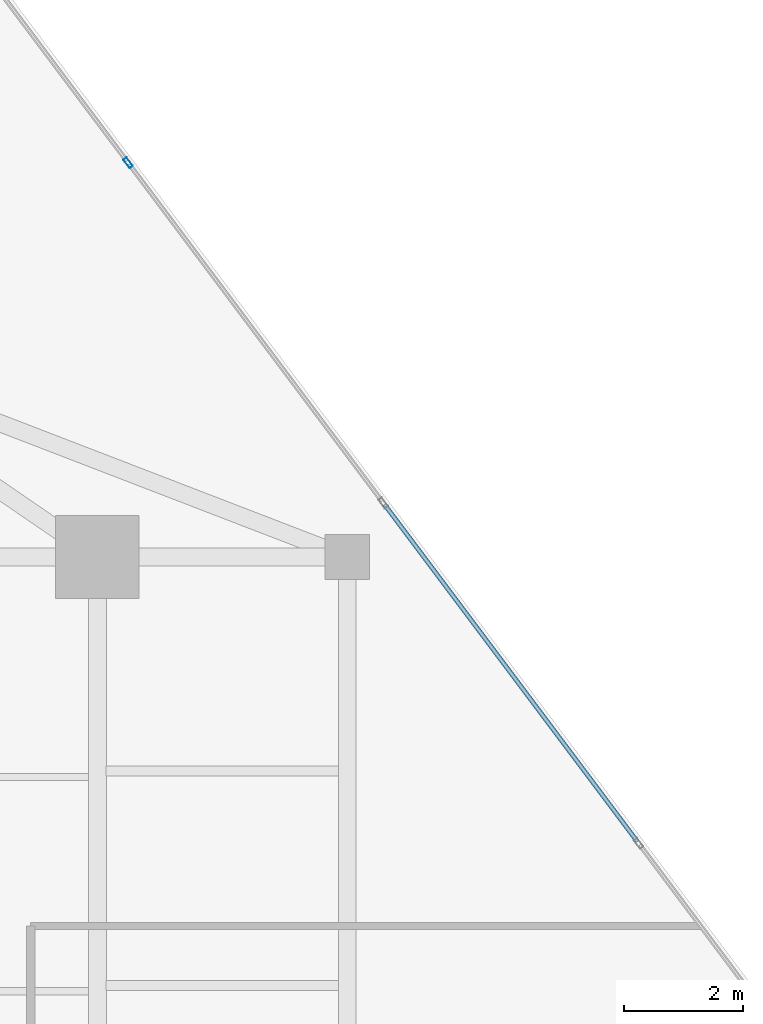
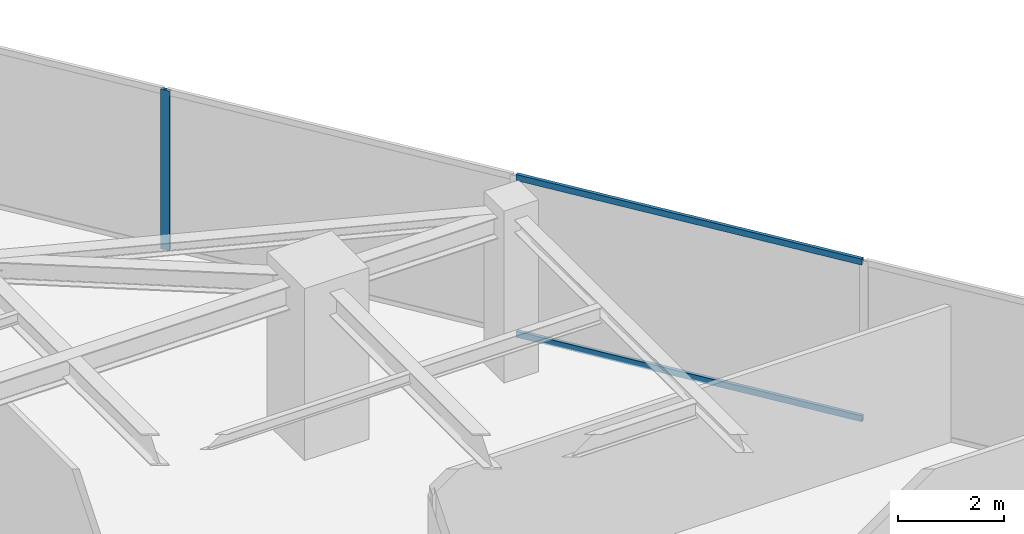
# One storey, part 16 of 21: 3 members, 1 element without a shape of its own.
"""IFC4 building model written with IfcOpenShell, lengths in metres."""

from ifc_helpers import new_model, si_unit, direction, frame, origin, origin_2d, place, context, subcontext, project, spatial, hollow_rectangle, extrude, source, transform, mapped, material, material_profile, profile_set, type_object, type_shapes, element, aggregate, save


model = new_model("IFC4")

# Units and contexts
model_context = context("Model", 3, precision=1e-05, world=origin(), true_north=direction((0.0, 1.0)))
body_context = subcontext(model_context, "Body", "Model", "MODEL_VIEW")
ifc_project = project(units=[si_unit("LENGTHUNIT", "METRE"), si_unit("AREAUNIT", "SQUARE_METRE"), si_unit("VOLUMEUNIT", "CUBIC_METRE"), si_unit("PLANEANGLEUNIT", "RADIAN"), si_unit("MASSUNIT", "GRAM", prefix="KILO")], contexts=[model_context])

# Site, building, storey
site_placement = place(None, origin())
site = spatial("IfcSite", under=ifc_project, at=site_placement, CompositionType="ELEMENT")
building_placement = place(site_placement, origin())
building = spatial("IfcBuilding", under=site, at=building_placement, Name="Krantzveldt Concourse Tower", CompositionType="ELEMENT")
storey_placement = place(building_placement, frame((0.0, 0.0, 267.39990234375)))
storey = spatial("IfcBuildingStorey", under=building, at=storey_placement, Name="L65", CompositionType="ELEMENT", Elevation=267.39990234375)

# Curtain wall, members
ifc_material = material(Name="Anodised aluminium 6063-T6", Category="aluminium")
curtain_wall_type = type_object("IfcCurtainWallType", Name="CW4", PredefinedType="USERDEFINED", material=ifc_material)
curtain_wall_placement = place(storey_placement, origin())
curtain_wall = element("IfcCurtainWall", 1, at=curtain_wall_placement, inside=storey, type_object=curtain_wall_type, Name="CW-L65-F10", ObjectType="UNITISED CURTAIN WALL", PredefinedType="USERDEFINED")
ifc_material_profile_1 = material_profile(ifc_material, hollow_rectangle(XDim=0.070068359375, YDim=0.179931640625, WallThickness=0.0048828125, at=origin_2d()), Name="Anodised aluminium 6063-T6", Category="aluminium")
ifc_profile_set_1 = profile_set([ifc_material_profile_1], Name="Anodised aluminium 6063-T6 - ALU-MULL 180x70x5")
member_type_1 = type_object("IfcMemberType", Name="CW-MUL-180", PredefinedType="MULLION", material=ifc_profile_set_1)
shared_shape_1 = source(origin(), body_context, "Body", "SweptSolid", [
    extrude(hollow_rectangle(XDim=0.070068359375, YDim=0.179931640625, WallThickness=0.0048828125, at=origin_2d()), origin(), (0.0, 0.0, 1.0), 3.670166015625),
])
type_shapes(member_type_1, [shared_shape_1])
member_1_placement = place(storey_placement, frame((47.31640625, 44.126953125, 0.0), z_axis=(0.0, 0.0, 1.0), x_axis=(-0.799946500313, -0.600071326292, 0.0)))
member_1 = element("IfcMember", 2, at=member_1_placement, type_object=member_type_1, Name="CW-Z56 mullion 4", PredefinedType="MULLION", context=body_context, shape_type="MappedRepresentation", body=[
    mapped(shared_shape_1, transform((0.0, 0.0, 0.0), x_axis=(1.0, 0.0, 0.0), y_axis=(0.0, 1.0, 0.0), z_axis=(0.0, 0.0, 1.0), scale=1.0)),
])
ifc_material_profile_2 = material_profile(ifc_material, hollow_rectangle(XDim=0.070068359375, YDim=0.139892578125, WallThickness=0.0048828125, at=origin_2d()), Name="Anodised aluminium 6063-T6", Category="aluminium")
ifc_profile_set_2 = profile_set([ifc_material_profile_2], Name="Anodised aluminium 6063-T6 - ALU-TRAN 140x70x5")
member_type_2 = type_object("IfcMemberType", Name="CW-TRN-150", PredefinedType="USERDEFINED", material=ifc_profile_set_2)
shared_shape_2 = source(origin(), body_context, "Body", "SweptSolid", [
    extrude(hollow_rectangle(XDim=0.070068359375, YDim=0.139892578125, WallThickness=0.0048828125, at=origin_2d()), origin(), (0.0, 0.0, 1.0), 7.080078125),
])
type_shapes(member_type_2, [shared_shape_2])
member_2_placement = place(storey_placement, frame((55.87646484375, 32.7158203125, 0.03515625), z_axis=(-0.600077239648, 0.799942064438, 0.0), x_axis=(-0.799942064438, -0.600077239648, 0.0)))
member_2 = element("IfcMember", 3, at=member_2_placement, type_object=member_type_2, Name="CW-Z56 transom 2.1", ObjectType="TRANSOM", PredefinedType="USERDEFINED", context=body_context, shape_type="MappedRepresentation", body=[
    mapped(shared_shape_2, transform((0.0, 0.0, 0.0), x_axis=(1.0, 0.0, 0.0), y_axis=(0.0, 1.0, 0.0), z_axis=(0.0, 0.0, 1.0), scale=1.0)),
])
member_3_placement = place(storey_placement, frame((55.87646484375, 32.7158203125, 3.635009765625), z_axis=(-0.600077239648, 0.799942064438, 0.0), x_axis=(-0.799942064438, -0.600077239648, 0.0)))
member_3 = element("IfcMember", 4, at=member_3_placement, type_object=member_type_2, Name="CW-Z56 transom 2.2", ObjectType="TRANSOM", PredefinedType="USERDEFINED", context=body_context, shape_type="MappedRepresentation", body=[
    mapped(shared_shape_2, transform((0.0, 0.0, 0.0), x_axis=(1.0, 0.0, 0.0), y_axis=(0.0, 1.0, 0.0), z_axis=(0.0, 0.0, 1.0), scale=1.0)),
])
aggregate(curtain_wall, [member_1, member_2, member_3])

save(model, "model.ifc")
